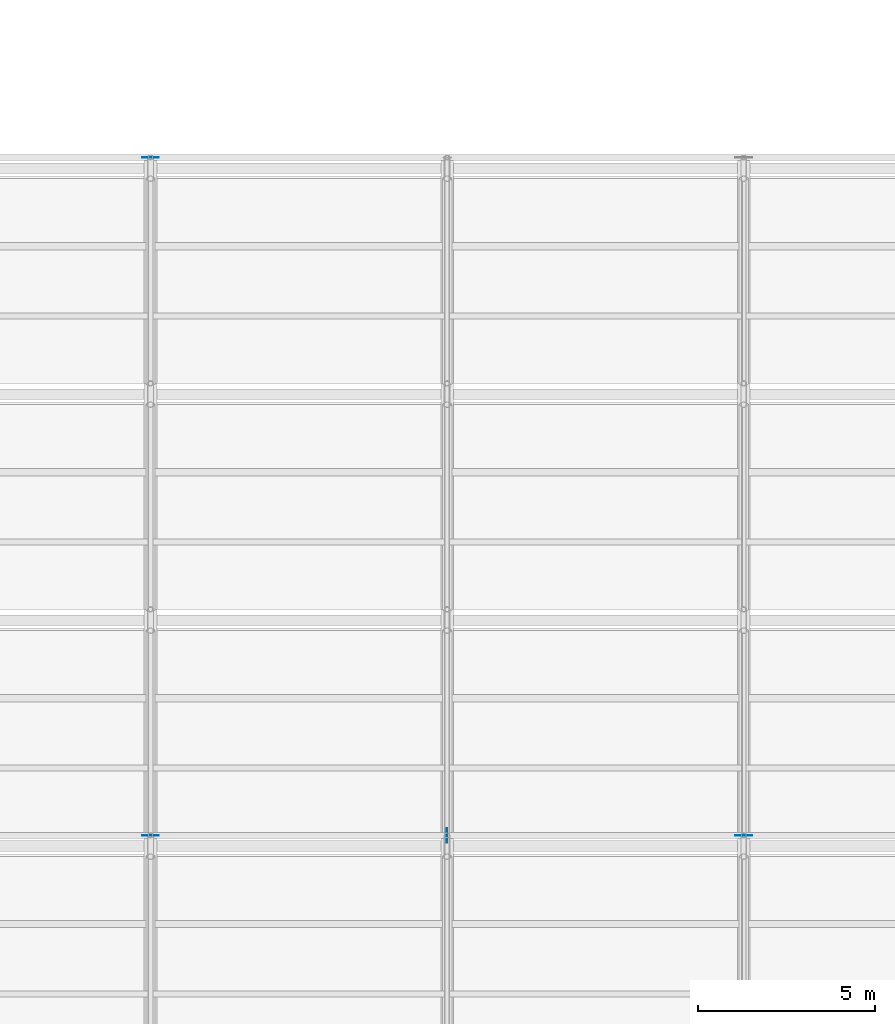
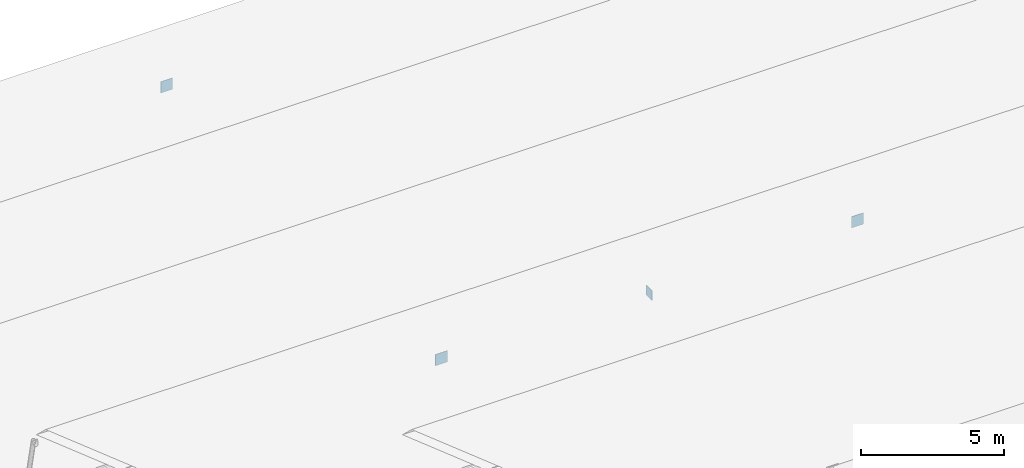
# One storey, part 163 of 194: 4 plates.
"""IFC4 building model written with IfcOpenShell, lengths in metres."""

from ifc_helpers import new_model, si_unit, direction, frame, origin, origin_2d, place, context, subcontext, project, spatial, rectangle, extrude, material, layer, layer_set, type_object, element, save


model = new_model("IFC4")

# Units and contexts
model_context = context("Model", 3, precision=1e-05, world=origin(), true_north=direction((0.0, 1.0)))
body_context = subcontext(model_context, "Body", "Model", "MODEL_VIEW")
ifc_project = project(units=[si_unit("LENGTHUNIT", "METRE"), si_unit("AREAUNIT", "SQUARE_METRE"), si_unit("VOLUMEUNIT", "CUBIC_METRE"), si_unit("PLANEANGLEUNIT", "RADIAN"), si_unit("MASSUNIT", "GRAM", prefix="KILO")], contexts=[model_context])

# Site, building, storey
site_placement = place(None, origin())
site = spatial("IfcSite", under=ifc_project, at=site_placement, CompositionType="ELEMENT")
building_placement = place(site_placement, origin())
building = spatial("IfcBuilding", under=site, at=building_placement, Name="Kazenagashi Tramway Depot", CompositionType="ELEMENT")
storey_placement = place(building_placement, frame((0.0, 0.0, 23.7)))
storey = spatial("IfcBuildingStorey", under=building, at=storey_placement, Name="ROOF", CompositionType="ELEMENT", Elevation=23.7)

# Plates
ifc_material = material(Name="Steel SN490B", Category="steel")
ifc_layer_1 = layer(ifc_material, 0.019)
ifc_layer_set_1 = layer_set([ifc_layer_1], Name="Steel SN490B")
plate_type_1 = type_object("IfcPlateType", Name="GP-02", PredefinedType="USERDEFINED", material=ifc_layer_set_1)
for number, where, z_axis, x_axis, name in (
    (1, (103.6, 35.7, -8.84), (0.0, 0.0, 1.0), (1.0, 0.0, 0.0), "Structural Node Plate GP-02 PLT-0126"),
    (2, (103.6, 54.9, -8.84), (0.0, 0.0, 1.0), (1.0, 0.0, 0.0), "Structural Node Plate GP-02 PLT-0127"),
    (3, (120.4, 35.7, -8.84), (0.0, 0.0, 1.0), (1.0, 0.0, 0.0), "Structural Node Plate GP-02 PLT-0130"),
):
    element("IfcPlate", number, at=place(storey_placement, frame(where, z_axis=z_axis, x_axis=x_axis)), inside=storey, type_object=plate_type_1, Name=name, ObjectType="GUSSET PLATE", PredefinedType="USERDEFINED", context=body_context, shape_type="SweptSolid", body=[
        extrude(rectangle(XDim=0.48, YDim=0.019, at=origin_2d()), origin(), (0.0, 0.0, 1.0), 0.48),
    ])
ifc_layer_2 = layer(ifc_material, 0.016)
ifc_layer_set_2 = layer_set([ifc_layer_2], Name="Steel SN490B")
plate_type_2 = type_object("IfcPlateType", Name="GP-03", PredefinedType="USERDEFINED", material=ifc_layer_set_2)
plate_placement = place(storey_placement, frame((112.0, 35.7, -8.96), z_axis=(0.0, 0.0, 1.0), x_axis=(0.0, 1.0, 0.0)))
element("IfcPlate", 4, at=plate_placement, inside=storey, type_object=plate_type_2, Name="Structural Node Plate GP-03 PLT-0085", ObjectType="GUSSET PLATE", PredefinedType="USERDEFINED", context=body_context, shape_type="SweptSolid", body=[
    extrude(rectangle(XDim=0.42, YDim=0.016, at=origin_2d()), origin(), (0.0, 0.0, 1.0), 0.42),
])

save(model, "model.ifc")
